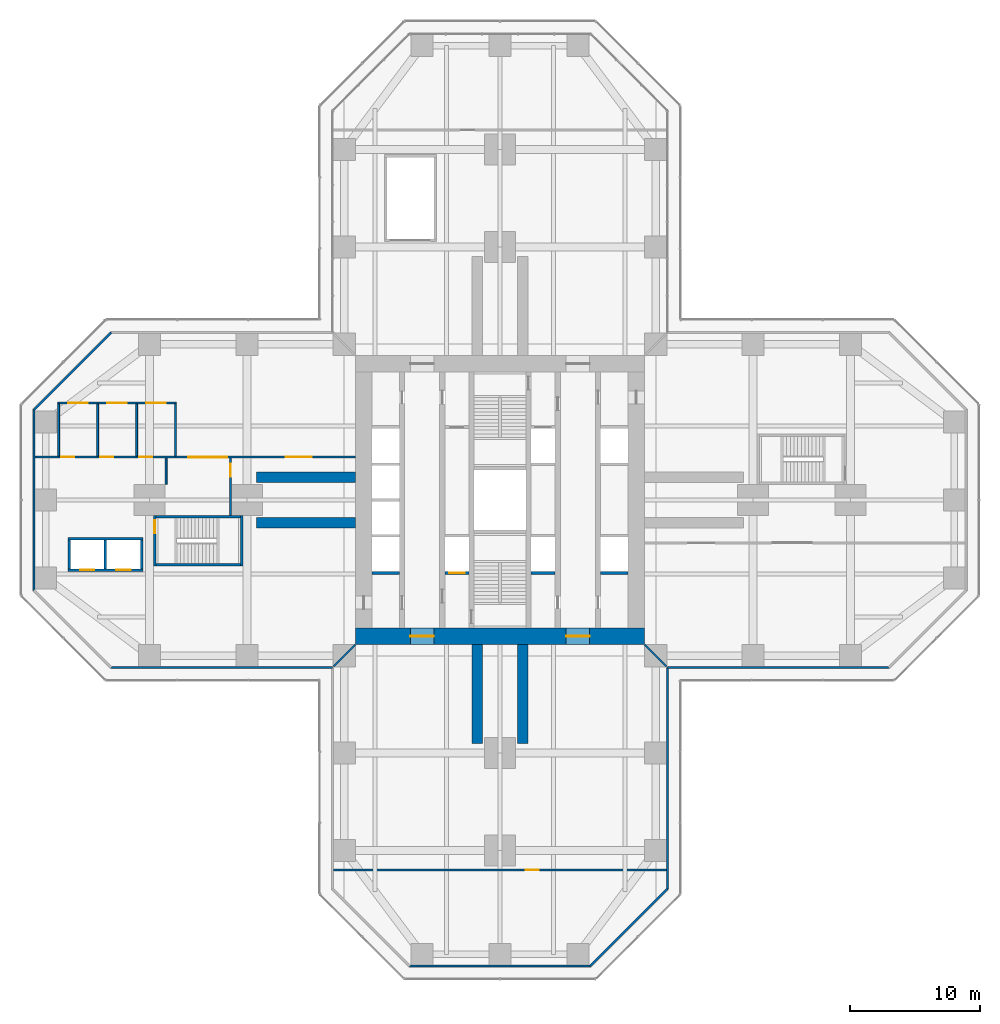
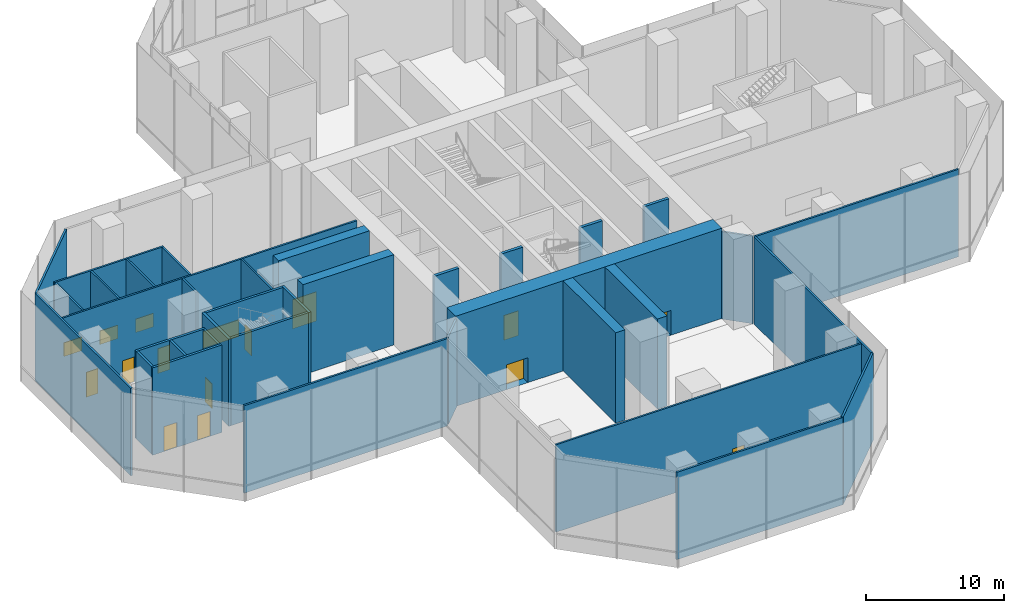
# One storey, part 17 of 25: 36 walls, 12 doors, 4 windows, 16 openings.
"""IFC4 building model written with IfcOpenShell, lengths in metres."""

from ifc_helpers import new_model, si_unit, direction, frame, frame_2d, origin, place, context, subcontext, project, spatial, rectangle, extrude, material, layer, layer_set, type_object, element, fill, save


model = new_model("IFC4")

# Units and contexts
model_context = context("Model", 3, precision=1e-05, world=origin(), true_north=direction((0.0, 1.0)))
body_context = subcontext(model_context, "Body", "Model", "MODEL_VIEW")
ifc_project = project(units=[si_unit("LENGTHUNIT", "METRE"), si_unit("AREAUNIT", "SQUARE_METRE"), si_unit("VOLUMEUNIT", "CUBIC_METRE"), si_unit("PLANEANGLEUNIT", "RADIAN"), si_unit("MASSUNIT", "GRAM", prefix="KILO")], contexts=[model_context])

# Site, building, storey
site_placement = place(None, origin())
site = spatial("IfcSite", under=ifc_project, at=site_placement, CompositionType="ELEMENT")
building_placement = place(site_placement, origin())
building = spatial("IfcBuilding", under=site, at=building_placement, Name="Mizan Broadcast Tower", CompositionType="ELEMENT")
storey_placement = place(building_placement, frame((0.0, 0.0, 15.0)))
storey = spatial("IfcBuildingStorey", under=building, at=storey_placement, Name="L02", CompositionType="ELEMENT", Elevation=15.0)

# Wall, openings, doors
ifc_material_1 = material(Name="Concrete C70/85", Category="concrete")
ifc_layer_1 = layer(ifc_material_1, 1.300048828125)
ifc_layer_set_1 = layer_set([ifc_layer_1], Name="Concrete C70/85")
wall_type_1 = type_object("IfcWallType", Name="CORE WALL 1300", PredefinedType="SHEAR", material=ifc_layer_set_1)
wall_1_placement = place(storey_placement, frame((11.14990234375, -10.5, 0.0), z_axis=(0.0, 0.0, 1.0), x_axis=(-1.0, 0.0, 0.0)))
wall_1 = element("IfcWall", 1, at=wall_1_placement, inside=storey, type_object=wall_type_1, Name="Core wall S L02", PredefinedType="SHEAR", context=body_context, shape_type="SweptSolid", body=[
    extrude(rectangle(XDim=22.2998046875, YDim=1.300048828125, at=frame_2d((11.14990234375, 0.0))), origin(), (0.0, 0.0, 1.0), 8.0),
])
opening_1_placement = place(wall_1_placement, frame((16.25, 0.0, 0.0)))
opening_1 = element("IfcOpeningElement", 2, at=opening_1_placement, cuts=wall_1, Name="Opening D18F", PredefinedType="OPENING", context=body_context, shape_type="SweptSolid", body=[
    extrude(rectangle(XDim=1.800048828125, YDim=2.199951171875, at=frame_2d((0.89990234375, 1.10009765625))), frame((0.0, 0.659912109375, 0.0), z_axis=(0.0, -1.0, 0.0), x_axis=(1.0, 0.0, 0.0)), (0.0, 0.0, 1.0), 1.320068359375),
])
opening_2_placement = place(wall_1_placement, frame((4.25, 0.0, 0.0)))
opening_2 = element("IfcOpeningElement", 3, at=opening_2_placement, cuts=wall_1, Name="Opening D18F", PredefinedType="OPENING", context=body_context, shape_type="SweptSolid", body=[
    extrude(rectangle(XDim=1.800048828125, YDim=2.199951171875, at=frame_2d((0.89990234375, 1.10009765625))), frame((0.0, 0.659912109375, 0.0), z_axis=(0.0, -1.0, 0.0), x_axis=(1.0, 0.0, 0.0)), (0.0, 0.0, 1.0), 1.320068359375),
])
ifc_material_2 = material(Name="Steel door leaf in steel frame", Category="steel")
door_type_1 = type_object("IfcDoorType", Name="LOBBY DOUBLE DOOR 1800 FD90", OperationType="DOUBLE_DOOR_DOUBLE_SWING", PredefinedType="DOOR", material=ifc_material_2)
door_1_placement = place(opening_1_placement, origin())
door_1 = element("IfcDoor", 4, at=door_1_placement, inside=storey, type_object=door_type_1, Name="West lift lobby south door", OperationType="DOUBLE_DOOR_DOUBLE_SWING", OverallHeight=2.199951171875, OverallWidth=1.800048828125, PredefinedType="DOOR", context=body_context, shape_type="SweptSolid", body=[
    extrude(rectangle(XDim=1.800048828125, YDim=2.199951171875, at=frame_2d((0.89990234375, 1.10009765625))), frame((0.0, 0.02490234375, 0.0), z_axis=(0.0, -1.0, 0.0), x_axis=(1.0, 0.0, 0.0)), (0.0, 0.0, 1.0), 0.050048828125),
])
fill(opening_1, door_1)
door_2_placement = place(opening_2_placement, origin())
door_2 = element("IfcDoor", 5, at=door_2_placement, inside=storey, type_object=door_type_1, Name="East lift lobby south door", OperationType="DOUBLE_DOOR_DOUBLE_SWING", OverallHeight=2.199951171875, OverallWidth=1.800048828125, PredefinedType="DOOR", context=body_context, shape_type="SweptSolid", body=[
    extrude(rectangle(XDim=1.800048828125, YDim=2.199951171875, at=frame_2d((0.89990234375, 1.10009765625))), frame((0.0, 0.02490234375, 0.0), z_axis=(0.0, -1.0, 0.0), x_axis=(1.0, 0.0, 0.0)), (0.0, 0.0, 1.0), 0.050048828125),
])
fill(opening_2, door_2)

# Wall
ifc_material_3 = material(Name="Concrete blockwork", Category="masonry")
ifc_layer_2 = layer(ifc_material_3, 0.199951171875)
ifc_layer_set_2 = layer_set([ifc_layer_2], Name="Concrete blockwork")
wall_type_2 = type_object("IfcWallType", Name="LIFT SHAFT WALL 200", PredefinedType="SOLIDWALL", material=ifc_layer_set_2)
wall_2_placement = place(storey_placement, frame((-27.5, -3.0, 0.0), z_axis=(0.0, 0.0, 1.0), x_axis=(-1.0, 0.0, 0.0)))
element("IfcWall", 6, at=wall_2_placement, inside=storey, type_object=wall_type_2, Name="Lift shaft wall PLS/V0", PredefinedType="SOLIDWALL", context=body_context, shape_type="SweptSolid", body=[
    extrude(rectangle(XDim=5.800048828125, YDim=0.199951171875, at=frame_2d((2.89990234375, 0.0))), origin(), (0.0, 0.0, 1.0), 7.75),
])

# Wall, openings, doors
wall_3_placement = place(storey_placement, frame((-33.300048828125, -5.39990234375, 0.0), z_axis=(0.0, 0.0, 1.0), x_axis=(1.0, 0.0, 0.0)))
wall_3 = element("IfcWall", 7, at=wall_3_placement, inside=storey, type_object=wall_type_2, Name="Lift shaft wall PLS/V1", PredefinedType="SOLIDWALL", context=body_context, shape_type="SweptSolid", body=[
    extrude(rectangle(XDim=5.800048828125, YDim=0.199951171875, at=frame_2d((2.89990234375, 0.0))), origin(), (0.0, 0.0, 1.0), 7.75),
])
opening_3_placement = place(wall_3_placement, frame((3.75, 0.0, 0.0)))
opening_3 = element("IfcOpeningElement", 8, at=opening_3_placement, cuts=wall_3, Name="Opening LDP", PredefinedType="OPENING", context=body_context, shape_type="SweptSolid", body=[
    extrude(rectangle(XDim=1.10009765625, YDim=2.199951171875, at=frame_2d((0.550048828125, 1.10009765625))), frame((0.0, 0.10986328125, 0.0), z_axis=(0.0, -1.0, 0.0), x_axis=(1.0, 0.0, 0.0)), (0.0, 0.0, 1.0), 0.219970703125),
])
opening_4_placement = place(wall_3_placement, frame((0.949951171875, 0.0, 0.0)))
opening_4 = element("IfcOpeningElement", 9, at=opening_4_placement, cuts=wall_3, Name="Opening LDP", PredefinedType="OPENING", context=body_context, shape_type="SweptSolid", body=[
    extrude(rectangle(XDim=1.10009765625, YDim=2.199951171875, at=frame_2d((0.550048828125, 1.10009765625))), frame((0.0, 0.10986328125, 0.0), z_axis=(0.0, -1.0, 0.0), x_axis=(1.0, 0.0, 0.0)), (0.0, 0.0, 1.0), 0.219970703125),
])
ifc_material_4 = material(Name="Steel door leaf in steel frame", Category="steel")
door_type_2 = type_object("IfcDoorType", Name="PODIUM LIFT LANDING DOOR 1100", OperationType="SLIDING_TO_LEFT", PredefinedType="DOOR", material=ifc_material_4)
door_3_placement = place(opening_3_placement, origin())
door_3 = element("IfcDoor", 10, at=door_3_placement, inside=storey, type_object=door_type_2, Name="Landing door PL1", OperationType="SLIDING_TO_LEFT", OverallHeight=2.199951171875, OverallWidth=1.10009765625, PredefinedType="DOOR", context=body_context, shape_type="SweptSolid", body=[
    extrude(rectangle(XDim=1.10009765625, YDim=2.199951171875, at=frame_2d((0.550048828125, 1.10009765625))), frame((0.0, 0.02490234375, 0.0), z_axis=(0.0, -1.0, 0.0), x_axis=(1.0, 0.0, 0.0)), (0.0, 0.0, 1.0), 0.050048828125),
])
fill(opening_3, door_3)
door_4_placement = place(opening_4_placement, origin())
door_4 = element("IfcDoor", 11, at=door_4_placement, inside=storey, type_object=door_type_2, Name="Landing door PL2", OperationType="SLIDING_TO_LEFT", OverallHeight=2.199951171875, OverallWidth=1.10009765625, PredefinedType="DOOR", context=body_context, shape_type="SweptSolid", body=[
    extrude(rectangle(XDim=1.10009765625, YDim=2.199951171875, at=frame_2d((0.550048828125, 1.10009765625))), frame((0.0, 0.02490234375, 0.0), z_axis=(0.0, -1.0, 0.0), x_axis=(1.0, 0.0, 0.0)), (0.0, 0.0, 1.0), 0.050048828125),
])
fill(opening_4, door_4)

# Walls
for number, where, z_axis, x_axis, name in (
    (12, (-27.60009765625, -3.10009765625, 0.0), (0.0, 0.0, 1.0), (0.0, -1.0, 0.0), "Lift shaft wall PLS/U0"),
    (13, (-30.39990234375, -3.10009765625, 0.0), (0.0, 0.0, 1.0), (0.0, -1.0, 0.0), "Lift shaft wall PLS/U1"),
    (14, (-33.199951171875, -3.10009765625, 0.0), (0.0, 0.0, 1.0), (0.0, -1.0, 0.0), "Lift shaft wall PLS/U2"),
):
    element("IfcWall", number, at=place(storey_placement, frame(where, z_axis=z_axis, x_axis=x_axis)), inside=storey, type_object=wall_type_2, Name=name, PredefinedType="SOLIDWALL", context=body_context, shape_type="SweptSolid", body=[
        extrude(rectangle(XDim=2.199951171875, YDim=0.199951171875, at=frame_2d((1.10009765625, 0.0))), origin(), (0.0, 0.0, 1.0), 7.75),
    ])
ifc_material_5 = material(Name="Concrete blockwork", Category="masonry")
ifc_layer_3 = layer(ifc_material_5, 0.25)
ifc_layer_set_3 = layer_set([ifc_layer_3], Name="Concrete blockwork")
wall_type_3 = type_object("IfcWallType", Name="LOBBY ENCLOSURE WALL 250", PredefinedType="SOLIDWALL", material=ifc_layer_set_3)
wall_4_placement = place(storey_placement, frame((-9.85009765625, -5.625, 0.0), z_axis=(0.0, 0.0, 1.0), x_axis=(1.0, 0.0, 0.0)))
element("IfcWall", 15, at=wall_4_placement, inside=storey, type_object=wall_type_3, Name="Lobby enclosure wall CORE/BW1S", PredefinedType="SOLIDWALL", context=body_context, shape_type="SweptSolid", body=[
    extrude(rectangle(XDim=2.10009765625, YDim=0.25, at=frame_2d((1.050048828125, 0.0))), origin(), (0.0, 0.0, 1.0), 7.800048828125),
])

# Wall, opening, door
wall_5_placement = place(storey_placement, frame((-4.25, -5.625, 0.0), z_axis=(0.0, 0.0, 1.0), x_axis=(1.0, 0.0, 0.0)))
wall_5 = element("IfcWall", 16, at=wall_5_placement, inside=storey, type_object=wall_type_3, Name="Lobby enclosure wall CORE/BW2S", PredefinedType="SOLIDWALL", context=body_context, shape_type="SweptSolid", body=[
    extrude(rectangle(XDim=1.85009765625, YDim=0.25, at=frame_2d((0.925048828125, 0.0))), origin(), (0.0, 0.0, 1.0), 7.800048828125),
])
opening_5_placement = place(wall_5_placement, frame((0.324951171875, 0.0, 0.0)))
opening_5 = element("IfcOpeningElement", 17, at=opening_5_placement, cuts=wall_5, Name="Opening LDF", PredefinedType="OPENING", context=body_context, shape_type="SweptSolid", body=[
    extrude(rectangle(XDim=1.199951171875, YDim=2.199951171875, at=frame_2d((0.60009765625, 1.10009765625))), frame((0.0, 0.135009765625, 0.0), z_axis=(0.0, -1.0, 0.0), x_axis=(1.0, 0.0, 0.0)), (0.0, 0.0, 1.0), 0.27001953125),
])
ifc_material_6 = material(Name="Steel door leaf in steel frame", Category="steel")
door_type_3 = type_object("IfcDoorType", Name="FIREFIGHTING LIFT LANDING DOOR 1200", OperationType="SLIDING_TO_LEFT", PredefinedType="DOOR", material=ifc_material_6)
door_5_placement = place(opening_5_placement, origin())
door_5 = element("IfcDoor", 18, at=door_5_placement, inside=storey, type_object=door_type_3, Name="Landing door FF1", OperationType="SLIDING_TO_LEFT", OverallHeight=2.199951171875, OverallWidth=1.199951171875, PredefinedType="DOOR", context=body_context, shape_type="SweptSolid", body=[
    extrude(rectangle(XDim=1.199951171875, YDim=2.199951171875, at=frame_2d((0.60009765625, 1.10009765625))), frame((0.0, 0.02490234375, 0.0), z_axis=(0.0, -1.0, 0.0), x_axis=(1.0, 0.0, 0.0)), (0.0, 0.0, 1.0), 0.050048828125),
])
fill(opening_5, door_5)

# Walls
wall_6_placement = place(storey_placement, frame((2.39990234375, -5.625, 0.0), z_axis=(0.0, 0.0, 1.0), x_axis=(1.0, 0.0, 0.0)))
element("IfcWall", 19, at=wall_6_placement, inside=storey, type_object=wall_type_3, Name="Lobby enclosure wall CORE/BE2S", PredefinedType="SOLIDWALL", context=body_context, shape_type="SweptSolid", body=[
    extrude(rectangle(XDim=1.85009765625, YDim=0.25, at=frame_2d((0.925048828125, 0.0))), origin(), (0.0, 0.0, 1.0), 7.800048828125),
])
wall_7_placement = place(storey_placement, frame((7.75, -5.625, 0.0), z_axis=(0.0, 0.0, 1.0), x_axis=(1.0, 0.0, 0.0)))
element("IfcWall", 20, at=wall_7_placement, inside=storey, type_object=wall_type_3, Name="Lobby enclosure wall CORE/BE1S", PredefinedType="SOLIDWALL", context=body_context, shape_type="SweptSolid", body=[
    extrude(rectangle(XDim=2.10009765625, YDim=0.25, at=frame_2d((1.050048828125, 0.0))), origin(), (0.0, 0.0, 1.0), 7.800048828125),
])

# Wall, openings, doors, window
ifc_material_7 = material(Name="Gypsum board on steel studs", Category="steel")
ifc_layer_4 = layer(ifc_material_7, 0.14990234375)
ifc_layer_set_4 = layer_set([ifc_layer_4], Name="Gypsum board on steel studs")
wall_type_4 = type_object("IfcWallType", Name="PARTITION 150", PredefinedType="PARTITIONING", material=ifc_layer_set_4)
wall_8_placement = place(storey_placement, frame((-11.14990234375, 3.300048828125, 0.0), z_axis=(0.0, 0.0, 1.0), x_axis=(-1.0, 0.0, 0.0)))
wall_8 = element("IfcWall", 21, at=wall_8_placement, inside=storey, type_object=wall_type_4, Name="Partition PT/WS", PredefinedType="PARTITIONING", context=body_context, shape_type="SweptSolid", body=[
    extrude(rectangle(XDim=24.670166015625, YDim=0.14990234375, at=frame_2d((12.3349609375, 0.0))), origin(), (0.0, 0.0, 1.0), 7.75),
])
opening_6_placement = place(wall_8_placement, frame((3.35009765625, 0.0, 0.0)))
opening_6 = element("IfcOpeningElement", 22, at=opening_6_placement, cuts=wall_8, Name="Opening D20", PredefinedType="OPENING", context=body_context, shape_type="SweptSolid", body=[
    extrude(rectangle(XDim=2.0, YDim=2.60009765625, at=frame_2d((1.0, 1.300048828125))), frame((0.0, 0.0849609375, 0.0), z_axis=(0.0, -1.0, 0.0), x_axis=(1.0, 0.0, 0.0)), (0.0, 0.0, 1.0), 0.169921875),
])
opening_7_placement = place(wall_8_placement, frame((15.64990234375, 0.0, 0.0)))
opening_7 = element("IfcOpeningElement", 23, at=opening_7_placement, cuts=wall_8, Name="Opening D10", PredefinedType="OPENING", context=body_context, shape_type="SweptSolid", body=[
    extrude(rectangle(XDim=1.0, YDim=2.199951171875, at=frame_2d((0.5, 1.10009765625))), frame((0.0, 0.0849609375, 0.0), z_axis=(0.0, -1.0, 0.0), x_axis=(1.0, 0.0, 0.0)), (0.0, 0.0, 1.0), 0.169921875),
])
opening_8_placement = place(wall_8_placement, frame((18.64990234375, 0.0, 0.0)))
opening_8 = element("IfcOpeningElement", 24, at=opening_8_placement, cuts=wall_8, Name="Opening D10", PredefinedType="OPENING", context=body_context, shape_type="SweptSolid", body=[
    extrude(rectangle(XDim=1.0, YDim=2.199951171875, at=frame_2d((0.5, 1.10009765625))), frame((0.0, 0.0849609375, 0.0), z_axis=(0.0, -1.0, 0.0), x_axis=(1.0, 0.0, 0.0)), (0.0, 0.0, 1.0), 0.169921875),
])
opening_9_placement = place(wall_8_placement, frame((21.64990234375, 0.0, 0.0)))
opening_9 = element("IfcOpeningElement", 25, at=opening_9_placement, cuts=wall_8, Name="Opening D10", PredefinedType="OPENING", context=body_context, shape_type="SweptSolid", body=[
    extrude(rectangle(XDim=1.0, YDim=2.199951171875, at=frame_2d((0.5, 1.10009765625))), frame((0.0, 0.0849609375, 0.0), z_axis=(0.0, -1.0, 0.0), x_axis=(1.0, 0.0, 0.0)), (0.0, 0.0, 1.0), 0.169921875),
])
opening_10_placement = place(wall_8_placement, frame((9.85009765625, 0.0, 0.89990234375)))
opening_10 = element("IfcOpeningElement", 26, at=opening_10_placement, cuts=wall_8, Name="Opening W01", PredefinedType="OPENING", context=body_context, shape_type="SweptSolid", body=[
    extrude(rectangle(XDim=3.0, YDim=1.5, at=frame_2d((1.5, 0.75))), frame((0.0, 0.0849609375, 0.0), z_axis=(0.0, -1.0, 0.0), x_axis=(1.0, 0.0, 0.0)), (0.0, 0.0, 1.0), 0.169921875),
])
ifc_material_8 = material(Name="Timber door leaf in aluminium frame", Category="wood")
door_type_4 = type_object("IfcDoorType", Name="ROOM DOOR 1000", OperationType="SINGLE_SWING_LEFT", PredefinedType="DOOR", material=ifc_material_8)
door_6_placement = place(opening_7_placement, origin())
door_6 = element("IfcDoor", 27, at=door_6_placement, inside=storey, type_object=door_type_4, Name="Voice booth 1 door", OperationType="SINGLE_SWING_RIGHT", OverallHeight=2.199951171875, OverallWidth=1.0, PredefinedType="DOOR", context=body_context, shape_type="SweptSolid", body=[
    extrude(rectangle(XDim=1.0, YDim=2.199951171875, at=frame_2d((0.5, 1.10009765625))), frame((0.0, 0.02490234375, 0.0), z_axis=(0.0, -1.0, 0.0), x_axis=(1.0, 0.0, 0.0)), (0.0, 0.0, 1.0), 0.050048828125),
])
fill(opening_7, door_6)
door_7_placement = place(opening_8_placement, origin())
door_7 = element("IfcDoor", 28, at=door_7_placement, inside=storey, type_object=door_type_4, Name="Voice booth 2 door", OperationType="SINGLE_SWING_RIGHT", OverallHeight=2.199951171875, OverallWidth=1.0, PredefinedType="DOOR", context=body_context, shape_type="SweptSolid", body=[
    extrude(rectangle(XDim=1.0, YDim=2.199951171875, at=frame_2d((0.5, 1.10009765625))), frame((0.0, 0.02490234375, 0.0), z_axis=(0.0, -1.0, 0.0), x_axis=(1.0, 0.0, 0.0)), (0.0, 0.0, 1.0), 0.050048828125),
])
fill(opening_8, door_7)
door_8_placement = place(opening_9_placement, origin())
door_8 = element("IfcDoor", 29, at=door_8_placement, inside=storey, type_object=door_type_4, Name="Voice booth 3 door", OperationType="SINGLE_SWING_RIGHT", OverallHeight=2.199951171875, OverallWidth=1.0, PredefinedType="DOOR", context=body_context, shape_type="SweptSolid", body=[
    extrude(rectangle(XDim=1.0, YDim=2.199951171875, at=frame_2d((0.5, 1.10009765625))), frame((0.0, 0.02490234375, 0.0), z_axis=(0.0, -1.0, 0.0), x_axis=(1.0, 0.0, 0.0)), (0.0, 0.0, 1.0), 0.050048828125),
])
fill(opening_9, door_8)
ifc_material_9 = material(Name="Timber door leaf in aluminium frame", Category="wood")
door_type_5 = type_object("IfcDoorType", Name="STUDIO DOUBLE DOOR 2000", OperationType="DOUBLE_DOOR_DOUBLE_SWING", PredefinedType="DOOR", material=ifc_material_9)
door_9_placement = place(opening_6_placement, origin())
door_9 = element("IfcDoor", 30, at=door_9_placement, inside=storey, type_object=door_type_5, Name="Radio studio door", OperationType="DOUBLE_DOOR_DOUBLE_SWING", OverallHeight=2.60009765625, OverallWidth=2.0, PredefinedType="DOOR", context=body_context, shape_type="SweptSolid", body=[
    extrude(rectangle(XDim=2.0, YDim=2.60009765625, at=frame_2d((1.0, 1.300048828125))), frame((0.0, 0.02490234375, 0.0), z_axis=(0.0, -1.0, 0.0), x_axis=(1.0, 0.0, 0.0)), (0.0, 0.0, 1.0), 0.050048828125),
])
fill(opening_6, door_9)
ifc_material_10 = material(Name="Acoustic laminated triple glazing in steel frame", Category="steel")
window_type_1 = type_object("IfcWindowType", Name="STUDIO OBSERVATION WINDOW 3000x1500", PartitioningType="SINGLE_PANEL", PredefinedType="WINDOW", material=ifc_material_10)
window_1_placement = place(opening_10_placement, origin())
window_1 = element("IfcWindow", 31, at=window_1_placement, inside=storey, type_object=window_type_1, Name="Radio studio observation window", OverallHeight=1.5, OverallWidth=3.0, PartitioningType="SINGLE_PANEL", PredefinedType="WINDOW", context=body_context, shape_type="SweptSolid", body=[
    extrude(rectangle(XDim=3.0, YDim=1.5, at=frame_2d((1.5, 0.75))), frame((0.0, 0.030029296875, 0.0), z_axis=(0.0, -1.0, 0.0), x_axis=(1.0, 0.0, 0.0)), (0.0, 0.0, 1.0), 0.06005859375),
])
fill(opening_10, window_1)

# Wall, opening, door
wall_9_placement = place(storey_placement, frame((-20.77490234375, 3.22509765625, 0.0), z_axis=(0.0, 0.0, 1.0), x_axis=(0.0, -1.0, 0.0)))
wall_9 = element("IfcWall", 32, at=wall_9_placement, inside=storey, type_object=wall_type_4, Name="Partition PT/WRC1", PredefinedType="PARTITIONING", context=body_context, shape_type="SweptSolid", body=[
    extrude(rectangle(XDim=4.425048828125, YDim=0.14990234375, at=frame_2d((2.21240234375, 0.0))), origin(), (0.0, 0.0, 1.0), 7.75),
])
opening_11_placement = place(wall_9_placement, frame((0.425048828125, 0.0, 0.0)))
opening_11 = element("IfcOpeningElement", 33, at=opening_11_placement, cuts=wall_9, Name="Opening D10", PredefinedType="OPENING", context=body_context, shape_type="SweptSolid", body=[
    extrude(rectangle(XDim=1.0, YDim=2.199951171875, at=frame_2d((0.5, 1.10009765625))), frame((0.0, 0.0849609375, 0.0), z_axis=(0.0, -1.0, 0.0), x_axis=(1.0, 0.0, 0.0)), (0.0, 0.0, 1.0), 0.169921875),
])
door_10_placement = place(opening_11_placement, origin())
door_10 = element("IfcDoor", 34, at=door_10_placement, inside=storey, type_object=door_type_4, Name="Radio control room door", OperationType="SINGLE_SWING_LEFT", OverallHeight=2.199951171875, OverallWidth=1.0, PredefinedType="DOOR", context=body_context, shape_type="SweptSolid", body=[
    extrude(rectangle(XDim=1.0, YDim=2.199951171875, at=frame_2d((0.5, 1.10009765625))), frame((0.0, 0.02490234375, 0.0), z_axis=(0.0, -1.0, 0.0), x_axis=(1.0, 0.0, 0.0)), (0.0, 0.0, 1.0), 0.050048828125),
])
fill(opening_11, door_10)

# Wall
wall_10_placement = place(storey_placement, frame((-25.72509765625, 3.22509765625, 0.0), z_axis=(0.0, 0.0, 1.0), x_axis=(0.0, -1.0, 0.0)))
element("IfcWall", 35, at=wall_10_placement, inside=storey, type_object=wall_type_4, Name="Partition PT/WRC2", PredefinedType="PARTITIONING", context=body_context, shape_type="SweptSolid", body=[
    extrude(rectangle(XDim=2.025146484375, YDim=0.14990234375, at=frame_2d((1.0126953125, 0.0))), origin(), (0.0, 0.0, 1.0), 7.75),
])

# Wall, openings, windows
wall_11_placement = place(storey_placement, frame((-24.925048828125, 7.47509765625, 0.0), z_axis=(0.0, 0.0, 1.0), x_axis=(-1.0, 0.0, 0.0)))
wall_11 = element("IfcWall", 36, at=wall_11_placement, inside=storey, type_object=wall_type_4, Name="Partition PT/WBB", PredefinedType="PARTITIONING", context=body_context, shape_type="SweptSolid", body=[
    extrude(rectangle(XDim=9.14990234375, YDim=0.14990234375, at=frame_2d((4.574951171875, 0.0))), origin(), (0.0, 0.0, 1.0), 7.75),
])
opening_12_placement = place(wall_11_placement, frame((0.824951171875, 0.0, 0.89990234375)))
opening_12 = element("IfcOpeningElement", 37, at=opening_12_placement, cuts=wall_11, Name="Opening W02", PredefinedType="OPENING", context=body_context, shape_type="SweptSolid", body=[
    extrude(rectangle(XDim=1.5, YDim=1.199951171875, at=frame_2d((0.75, 0.60009765625))), frame((0.0, 0.0849609375, 0.0), z_axis=(0.0, -1.0, 0.0), x_axis=(1.0, 0.0, 0.0)), (0.0, 0.0, 1.0), 0.169921875),
])
opening_13_placement = place(wall_11_placement, frame((3.824951171875, 0.0, 0.89990234375)))
opening_13 = element("IfcOpeningElement", 38, at=opening_13_placement, cuts=wall_11, Name="Opening W02", PredefinedType="OPENING", context=body_context, shape_type="SweptSolid", body=[
    extrude(rectangle(XDim=1.5, YDim=1.199951171875, at=frame_2d((0.75, 0.60009765625))), frame((0.0, 0.0849609375, 0.0), z_axis=(0.0, -1.0, 0.0), x_axis=(1.0, 0.0, 0.0)), (0.0, 0.0, 1.0), 0.169921875),
])
opening_14_placement = place(wall_11_placement, frame((6.824951171875, 0.0, 0.89990234375)))
opening_14 = element("IfcOpeningElement", 39, at=opening_14_placement, cuts=wall_11, Name="Opening W02", PredefinedType="OPENING", context=body_context, shape_type="SweptSolid", body=[
    extrude(rectangle(XDim=1.5, YDim=1.199951171875, at=frame_2d((0.75, 0.60009765625))), frame((0.0, 0.0849609375, 0.0), z_axis=(0.0, -1.0, 0.0), x_axis=(1.0, 0.0, 0.0)), (0.0, 0.0, 1.0), 0.169921875),
])
ifc_material_11 = material(Name="Acoustic laminated triple glazing in steel frame", Category="steel")
window_type_2 = type_object("IfcWindowType", Name="BOOTH WINDOW 1500x1200", PartitioningType="SINGLE_PANEL", PredefinedType="WINDOW", material=ifc_material_11)
window_2_placement = place(opening_12_placement, origin())
window_2 = element("IfcWindow", 40, at=window_2_placement, inside=storey, type_object=window_type_2, Name="Voice booth 1 window", OverallHeight=1.199951171875, OverallWidth=1.5, PartitioningType="SINGLE_PANEL", PredefinedType="WINDOW", context=body_context, shape_type="SweptSolid", body=[
    extrude(rectangle(XDim=1.5, YDim=1.199951171875, at=frame_2d((0.75, 0.60009765625))), frame((0.0, 0.030029296875, 0.0), z_axis=(0.0, -1.0, 0.0), x_axis=(1.0, 0.0, 0.0)), (0.0, 0.0, 1.0), 0.06005859375),
])
fill(opening_12, window_2)
window_3_placement = place(opening_13_placement, origin())
window_3 = element("IfcWindow", 41, at=window_3_placement, inside=storey, type_object=window_type_2, Name="Voice booth 2 window", OverallHeight=1.199951171875, OverallWidth=1.5, PartitioningType="SINGLE_PANEL", PredefinedType="WINDOW", context=body_context, shape_type="SweptSolid", body=[
    extrude(rectangle(XDim=1.5, YDim=1.199951171875, at=frame_2d((0.75, 0.60009765625))), frame((0.0, 0.030029296875, 0.0), z_axis=(0.0, -1.0, 0.0), x_axis=(1.0, 0.0, 0.0)), (0.0, 0.0, 1.0), 0.06005859375),
])
fill(opening_13, window_3)
window_4_placement = place(opening_14_placement, origin())
window_4 = element("IfcWindow", 42, at=window_4_placement, inside=storey, type_object=window_type_2, Name="Voice booth 3 window", OverallHeight=1.199951171875, OverallWidth=1.5, PartitioningType="SINGLE_PANEL", PredefinedType="WINDOW", context=body_context, shape_type="SweptSolid", body=[
    extrude(rectangle(XDim=1.5, YDim=1.199951171875, at=frame_2d((0.75, 0.60009765625))), frame((0.0, 0.030029296875, 0.0), z_axis=(0.0, -1.0, 0.0), x_axis=(1.0, 0.0, 0.0)), (0.0, 0.0, 1.0), 0.06005859375),
])
fill(opening_14, window_4)

# Walls
for number, where, z_axis, x_axis, name in (
    (43, (-25.0, 3.375, 0.0), (0.0, 0.0, 1.0), (0.0, 1.0, 0.0), "Partition PT/WBS0"),
    (44, (-28.0, 3.375, 0.0), (0.0, 0.0, 1.0), (0.0, 1.0, 0.0), "Partition PT/WBS1"),
    (45, (-31.0, 3.375, 0.0), (0.0, 0.0, 1.0), (0.0, 1.0, 0.0), "Partition PT/WBS2"),
    (46, (-34.0, 3.375, 0.0), (0.0, 0.0, 1.0), (0.0, 1.0, 0.0), "Partition PT/WBS3"),
):
    element("IfcWall", number, at=place(storey_placement, frame(where, z_axis=z_axis, x_axis=x_axis)), inside=storey, type_object=wall_type_4, Name=name, PredefinedType="PARTITIONING", context=body_context, shape_type="SweptSolid", body=[
        extrude(rectangle(XDim=4.02490234375, YDim=0.14990234375, at=frame_2d((2.012451171875, 0.0))), origin(), (0.0, 0.0, 1.0), 7.75),
    ])

# Wall, opening, door
wall_12_placement = place(storey_placement, frame((-12.820068359375, -28.5, 0.0), z_axis=(0.0, 0.0, 1.0), x_axis=(1.0, 0.0, 0.0)))
wall_12 = element("IfcWall", 47, at=wall_12_placement, inside=storey, type_object=wall_type_4, Name="Partition PT/SX1", PredefinedType="PARTITIONING", context=body_context, shape_type="SweptSolid", body=[
    extrude(rectangle(XDim=25.64013671875, YDim=0.14990234375, at=frame_2d((12.820068359375, 0.0))), origin(), (0.0, 0.0, 1.0), 7.75),
])
opening_15_placement = place(wall_12_placement, frame((14.820068359375, 0.0, 0.0)))
opening_15 = element("IfcOpeningElement", 48, at=opening_15_placement, cuts=wall_12, Name="Opening D10", PredefinedType="OPENING", context=body_context, shape_type="SweptSolid", body=[
    extrude(rectangle(XDim=1.0, YDim=2.199951171875, at=frame_2d((0.5, 1.10009765625))), frame((0.0, 0.0849609375, 0.0), z_axis=(0.0, -1.0, 0.0), x_axis=(1.0, 0.0, 0.0)), (0.0, 0.0, 1.0), 0.169921875),
])
door_11_placement = place(opening_15_placement, origin())
door_11 = element("IfcDoor", 49, at=door_11_placement, inside=storey, type_object=door_type_4, Name="Control gallery 2 door", OperationType="SINGLE_SWING_RIGHT", OverallHeight=2.199951171875, OverallWidth=1.0, PredefinedType="DOOR", context=body_context, shape_type="SweptSolid", body=[
    extrude(rectangle(XDim=1.0, YDim=2.199951171875, at=frame_2d((0.5, 1.10009765625))), frame((0.0, 0.02490234375, 0.0), z_axis=(0.0, -1.0, 0.0), x_axis=(1.0, 0.0, 0.0)), (0.0, 0.0, 1.0), 0.050048828125),
])
fill(opening_15, door_11)

# Walls
for number, where, z_axis, x_axis, name in (
    (50, (-11.14990234375, -11.14990234375, 0.0), (0.0, 0.0, 1.0), (-0.707106781187, -0.707106781187, 0.0), "Partition PT/DGWS"),
    (51, (11.14990234375, -11.14990234375, 0.0), (0.0, 0.0, 1.0), (0.707106781187, -0.707106781187, 0.0), "Partition PT/DGES"),
):
    element("IfcWall", number, at=place(storey_placement, frame(where, z_axis=z_axis, x_axis=x_axis)), inside=storey, type_object=wall_type_4, Name=name, PredefinedType="PARTITIONING", context=body_context, shape_type="SweptSolid", body=[
        extrude(rectangle(XDim=2.362060546875, YDim=0.14990234375, at=frame_2d((1.18115234375, 0.0))), origin(), (0.0, 0.0, 1.0), 7.75),
    ])
ifc_material_12 = material(Name="Concrete C70/85", Category="concrete")
ifc_layer_5 = layer(ifc_material_12, 0.800048828125)
ifc_layer_set_5 = layer_set([ifc_layer_5], Name="Concrete C70/85")
wall_type_5 = type_object("IfcWallType", Name="SPINE WALL 800", PredefinedType="SHEAR", material=ifc_layer_set_5)
for number, where, z_axis, x_axis, name in (
    (52, (-11.14990234375, 1.75, 0.0), (0.0, 0.0, 1.0), (-1.0, 0.0, 0.0), "Spine wall WR L02"),
    (53, (-11.14990234375, -1.75, 0.0), (0.0, 0.0, 1.0), (-1.0, 0.0, 0.0), "Spine wall WL L02"),
    (54, (-1.75, -11.14990234375, 0.0), (0.0, 0.0, 1.0), (0.0, -1.0, 0.0), "Spine wall SR L02"),
    (55, (1.75, -11.14990234375, 0.0), (0.0, 0.0, 1.0), (0.0, -1.0, 0.0), "Spine wall SL L02"),
):
    element("IfcWall", number, at=place(storey_placement, frame(where, z_axis=z_axis, x_axis=x_axis)), inside=storey, type_object=wall_type_5, Name=name, PredefinedType="SHEAR", context=body_context, shape_type="SweptSolid", body=[
        extrude(rectangle(XDim=7.625, YDim=0.800048828125, at=frame_2d((3.8125, 0.0))), origin(), (0.0, 0.0, 1.0), 8.0),
    ])
ifc_material_13 = material(Name="Concrete C40/50", Category="concrete")
ifc_layer_6 = layer(ifc_material_13, 0.199951171875)
ifc_layer_set_6 = layer_set([ifc_layer_6], Name="Concrete C40/50")
wall_type_6 = type_object("IfcWallType", Name="STAIR SHAFT WALL 200 RC", PredefinedType="SOLIDWALL", material=ifc_layer_set_6)
wall_13_placement = place(storey_placement, frame((-19.89990234375, -1.199951171875, 0.0), z_axis=(0.0, 0.0, 1.0), x_axis=(0.0, -1.0, 0.0)))
element("IfcWall", 56, at=wall_13_placement, inside=storey, type_object=wall_type_6, Name="Stair shaft wall PS/W/U0", PredefinedType="SOLIDWALL", context=body_context, shape_type="SweptSolid", body=[
    extrude(rectangle(XDim=3.900146484375, YDim=0.199951171875, at=frame_2d((1.9501953125, 0.0))), origin(), (0.0, 0.0, 1.0), 7.75),
])

# Wall, opening, door
wall_14_placement = place(storey_placement, frame((-26.60009765625, -5.10009765625, 0.0), z_axis=(0.0, 0.0, 1.0), x_axis=(0.0, 1.0, 0.0)))
wall_14 = element("IfcWall", 57, at=wall_14_placement, inside=storey, type_object=wall_type_6, Name="Stair shaft wall PS/W/U1", PredefinedType="SOLIDWALL", context=body_context, shape_type="SweptSolid", body=[
    extrude(rectangle(XDim=3.900146484375, YDim=0.199951171875, at=frame_2d((1.9501953125, 0.0))), origin(), (0.0, 0.0, 1.0), 7.75),
])
opening_16_placement = place(wall_14_placement, frame((2.550048828125, 0.0, 0.0)))
opening_16 = element("IfcOpeningElement", 58, at=opening_16_placement, cuts=wall_14, Name="Opening D10S", PredefinedType="OPENING", context=body_context, shape_type="SweptSolid", body=[
    extrude(rectangle(XDim=1.0, YDim=2.199951171875, at=frame_2d((0.5, 1.10009765625))), frame((0.0, 0.10986328125, 0.0), z_axis=(0.0, -1.0, 0.0), x_axis=(1.0, 0.0, 0.0)), (0.0, 0.0, 1.0), 0.219970703125),
])
ifc_material_14 = material(Name="Steel door leaf in steel frame", Category="steel")
door_type_6 = type_object("IfcDoorType", Name="STAIR DOOR 1000 FD90S", OperationType="SINGLE_SWING_RIGHT", PredefinedType="DOOR", material=ifc_material_14)
door_12_placement = place(opening_16_placement, origin())
door_12 = element("IfcDoor", 59, at=door_12_placement, inside=storey, type_object=door_type_6, Name="Stair D door", OperationType="SINGLE_SWING_RIGHT", OverallHeight=2.199951171875, OverallWidth=1.0, PredefinedType="DOOR", context=body_context, shape_type="SweptSolid", body=[
    extrude(rectangle(XDim=1.0, YDim=2.199951171875, at=frame_2d((0.5, 1.10009765625))), frame((0.0, 0.02490234375, 0.0), z_axis=(0.0, -1.0, 0.0), x_axis=(1.0, 0.0, 0.0)), (0.0, 0.0, 1.0), 0.050048828125),
])
fill(opening_16, door_12)

# Walls
for number, where, z_axis, x_axis, name in (
    (60, (-20.0, -1.300048828125, 0.0), (0.0, 0.0, 1.0), (-1.0, 0.0, 0.0), "Stair shaft wall PS/W/V0"),
    (61, (-26.5, -5.0, 0.0), (0.0, 0.0, 1.0), (1.0, 0.0, 0.0), "Stair shaft wall PS/W/V1"),
):
    element("IfcWall", number, at=place(storey_placement, frame(where, z_axis=z_axis, x_axis=x_axis)), inside=storey, type_object=wall_type_6, Name=name, PredefinedType="SOLIDWALL", context=body_context, shape_type="SweptSolid", body=[
        extrude(rectangle(XDim=6.5, YDim=0.199951171875, at=frame_2d((3.25, 0.0))), origin(), (0.0, 0.0, 1.0), 7.75),
    ])
ifc_material_15 = material(Name="Insulated aluminium panel wall", Category="aluminium")
ifc_layer_7 = layer(ifc_material_15, 0.159912109375)
ifc_layer_set_7 = layer_set([ifc_layer_7], Name="Insulated aluminium panel wall")
wall_type_7 = type_object("IfcWallType", Name="STUDIO CLADDING WALL 160", PredefinedType="SOLIDWALL", material=ifc_layer_set_7)
wall_15_placement = place(storey_placement, frame((12.89990234375, -12.89990234375, 0.0), z_axis=(0.0, 0.0, 1.0), x_axis=(1.0, 0.0, 0.0)))
element("IfcWall", 62, at=wall_15_placement, inside=storey, type_object=wall_type_7, Name="External wall L02 E side", PredefinedType="SOLIDWALL", context=body_context, shape_type="SweptSolid", body=[
    extrude(rectangle(XDim=17.05859375, YDim=0.159912109375, at=frame_2d((8.529296875, 0.0))), origin(), (0.0, 0.0, 1.0), 7.75),
])
wall_16_placement = place(storey_placement, frame((-29.95849609375, 12.89990234375, 0.0), z_axis=(0.0, 0.0, 1.0), x_axis=(-0.707106781187, -0.707106781187, 0.0)))
element("IfcWall", 63, at=wall_16_placement, inside=storey, type_object=wall_type_7, Name="External wall L02 W chamfer", PredefinedType="SOLIDWALL", context=body_context, shape_type="SweptSolid", body=[
    extrude(rectangle(XDim=8.40234375, YDim=0.159912109375, at=frame_2d((4.201171875, 0.0))), origin(), (0.0, 0.0, 1.0), 7.75),
])
wall_17_placement = place(storey_placement, frame((-35.89990234375, 6.95849609375, 0.0), z_axis=(0.0, 0.0, 1.0), x_axis=(0.0, -1.0, 0.0)))
element("IfcWall", 64, at=wall_17_placement, inside=storey, type_object=wall_type_7, Name="External wall L02 W end", PredefinedType="SOLIDWALL", context=body_context, shape_type="SweptSolid", body=[
    extrude(rectangle(XDim=13.9169921875, YDim=0.159912109375, at=frame_2d((6.95849609375, 0.0))), origin(), (0.0, 0.0, 1.0), 7.75),
])
wall_18_placement = place(storey_placement, frame((-29.95849609375, -12.89990234375, 0.0), z_axis=(0.0, 0.0, 1.0), x_axis=(1.0, 0.0, 0.0)))
element("IfcWall", 65, at=wall_18_placement, inside=storey, type_object=wall_type_7, Name="External wall L02 W side", PredefinedType="SOLIDWALL", context=body_context, shape_type="SweptSolid", body=[
    extrude(rectangle(XDim=17.05859375, YDim=0.159912109375, at=frame_2d((8.529296875, 0.0))), origin(), (0.0, 0.0, 1.0), 7.75),
])
wall_19_placement = place(storey_placement, frame((-6.95849609375, -35.89990234375, 0.0), z_axis=(0.0, 0.0, 1.0), x_axis=(1.0, 0.0, 0.0)))
element("IfcWall", 66, at=wall_19_placement, inside=storey, type_object=wall_type_7, Name="External wall L02 S end", PredefinedType="SOLIDWALL", context=body_context, shape_type="SweptSolid", body=[
    extrude(rectangle(XDim=13.9169921875, YDim=0.159912109375, at=frame_2d((6.95849609375, 0.0))), origin(), (0.0, 0.0, 1.0), 7.75),
])
wall_20_placement = place(storey_placement, frame((6.95849609375, -35.89990234375, 0.0), z_axis=(0.0, 0.0, 1.0), x_axis=(0.707106781187, 0.707106781187, 0.0)))
element("IfcWall", 67, at=wall_20_placement, inside=storey, type_object=wall_type_7, Name="External wall L02 S chamfer", PredefinedType="SOLIDWALL", context=body_context, shape_type="SweptSolid", body=[
    extrude(rectangle(XDim=8.40234375, YDim=0.159912109375, at=frame_2d((4.201171875, 0.0))), origin(), (0.0, 0.0, 1.0), 7.75),
])
wall_21_placement = place(storey_placement, frame((12.89990234375, -29.95849609375, 0.0), z_axis=(0.0, 0.0, 1.0), x_axis=(0.0, 1.0, 0.0)))
element("IfcWall", 68, at=wall_21_placement, inside=storey, type_object=wall_type_7, Name="External wall L02 S side", PredefinedType="SOLIDWALL", context=body_context, shape_type="SweptSolid", body=[
    extrude(rectangle(XDim=17.05859375, YDim=0.159912109375, at=frame_2d((8.529296875, 0.0))), origin(), (0.0, 0.0, 1.0), 7.75),
])

save(model, "model.ifc")
